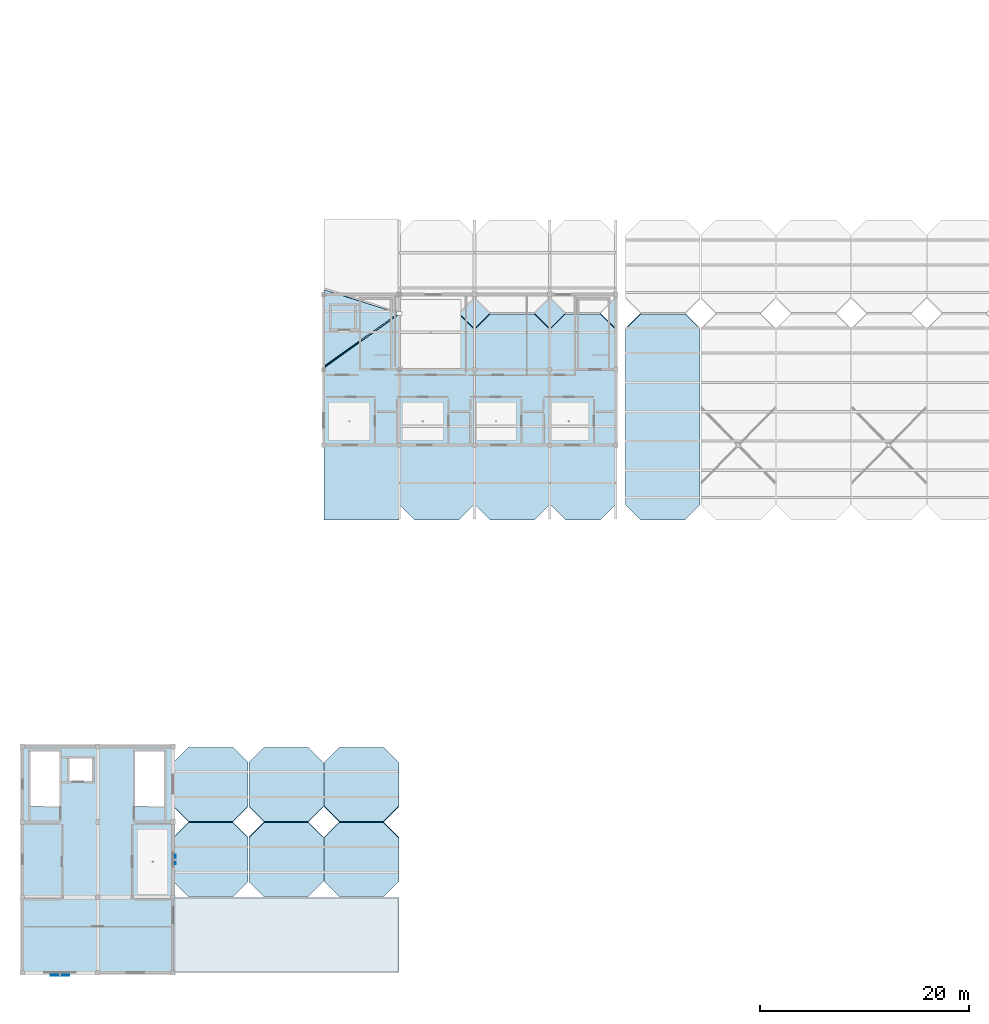
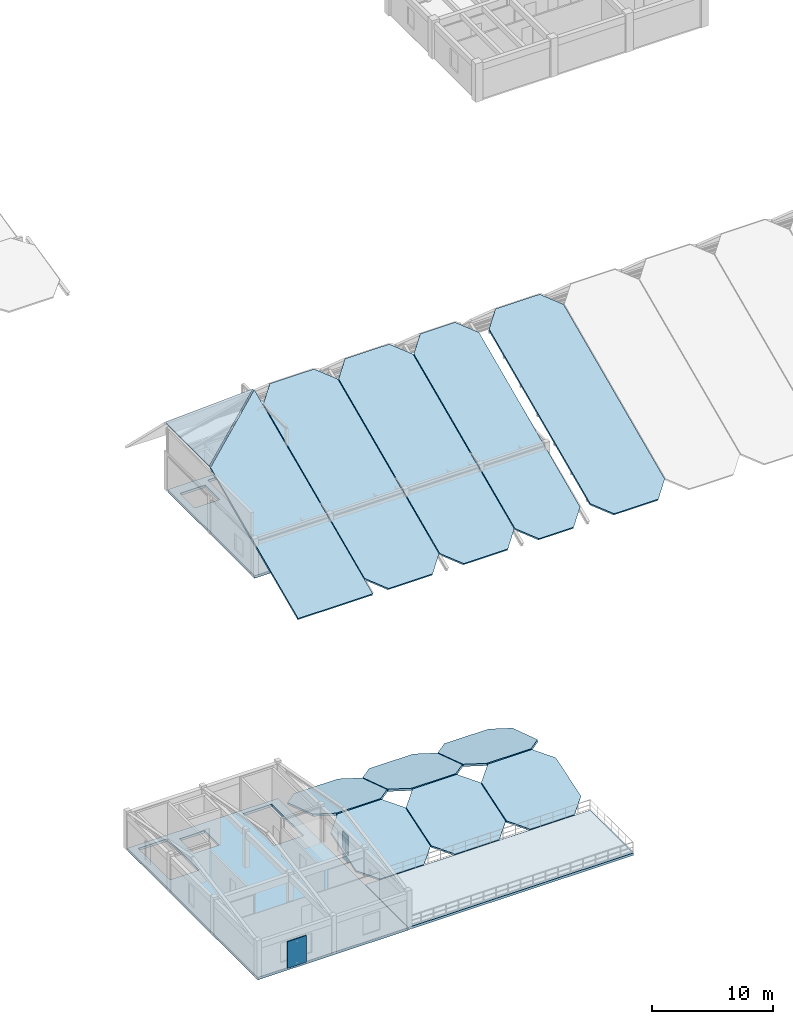
# One storey, part 22 of 54: 15 slabs, 2 plates.
"""IFC4 building model written with IfcOpenShell, lengths in metres."""

from ifc_helpers import new_model, si_unit, direction, frame, origin, origin_2d, place, context, subcontext, project, spatial, polyline, rectangle, outline, extrude, material, layer, layer_set, type_object, element, save


model = new_model("IFC4")

# Units and contexts
model_context = context("Model", 3, precision=1e-05, world=origin(), true_north=direction((0.0, 1.0)))
body_context = subcontext(model_context, "Body", "Model", "MODEL_VIEW")
ifc_project = project(units=[si_unit("LENGTHUNIT", "METRE"), si_unit("AREAUNIT", "SQUARE_METRE"), si_unit("VOLUMEUNIT", "CUBIC_METRE"), si_unit("PLANEANGLEUNIT", "RADIAN"), si_unit("MASSUNIT", "GRAM", prefix="KILO")], contexts=[model_context])

# Site, building, storey
site_placement = place(None, origin())
site = spatial("IfcSite", under=ifc_project, at=site_placement, CompositionType="ELEMENT")
building_placement = place(site_placement, origin())
building = spatial("IfcBuilding", under=site, at=building_placement, Name="Koriwan Promenade Central Fire Station", CompositionType="ELEMENT")
storey_placement = place(building_placement, frame((0.0, 0.0, 9.60009765625)))
storey = spatial("IfcBuildingStorey", under=building, at=storey_placement, Name="L02", CompositionType="ELEMENT", Elevation=9.60009765625)

# Slabs
ifc_material_1 = material(Name="Concrete C35/45", Category="concrete")
ifc_layer_1 = layer(ifc_material_1, 0.25, Name="Concrete C35/45")
ifc_layer_set_1 = layer_set([ifc_layer_1], Name="Concrete C35/45")
slab_type_1 = type_object("IfcSlabType", Name="FloorSlab_250", PredefinedType="FLOOR", material=ifc_layer_set_1)
slab_1_placement = place(storey_placement, frame((0.0, 0.0, -0.25)))
element("IfcSlab", 1, at=slab_1_placement, inside=storey, type_object=slab_type_1, Name="V3 L02 structural slab 1", PredefinedType="FLOOR", context=body_context, shape_type="SweptSolid", body=[
    extrude(outline(polyline([(0.0, 0.0), (0.0, 21.60009765625), (14.39990234375, 21.60009765625), (14.39990234375, 0.0), (0.0, 0.0)]), holes=[polyline([(0.760009765625, 15.8720703125), (3.550048828125, 15.8720703125), (3.550048828125, 21.110107421875), (0.760009765625, 21.110107421875), (0.760009765625, 15.8720703125)]), polyline([(10.760009765625, 21.110107421875), (10.760009765625, 15.8720703125), (13.550048828125, 15.8720703125), (13.550048828125, 21.110107421875), (10.760009765625, 21.110107421875)]), polyline([(6.800048828125, 20.60009765625), (4.39990234375, 20.60009765625), (4.39990234375, 18.199951171875), (6.800048828125, 18.199951171875), (6.800048828125, 20.60009765625)])]), origin(), (0.0, 0.0, 1.0), 0.25),
])
slab_2_placement = place(storey_placement, frame((0.0, 0.0, -0.25)))
element("IfcSlab", 2, at=slab_2_placement, inside=storey, type_object=slab_type_1, Name="V4 L02 structural slab 1", PredefinedType="FLOOR", context=body_context, shape_type="SweptSolid", body=[
    extrude(outline(polyline([(28.800048828125, 50.39990234375), (28.800048828125, 64.800048828125), (56.699951171875, 64.800048828125), (56.699951171875, 50.39990234375), (28.800048828125, 50.39990234375)]), holes=[polyline([(35.14990234375, 64.31005859375), (32.360107421875, 64.31005859375), (32.360107421875, 59.072021484375), (35.14990234375, 59.072021484375), (35.14990234375, 64.31005859375)]), polyline([(55.949951171875, 59.06201171875), (55.949951171875, 64.2900390625), (53.179931640625, 64.2900390625), (53.179931640625, 59.06201171875), (55.949951171875, 59.06201171875)]), polyline([(29.39990234375, 63.800048828125), (29.39990234375, 61.39990234375), (31.800048828125, 61.39990234375), (31.800048828125, 63.800048828125), (29.39990234375, 63.800048828125)])]), origin(), (0.0, 0.0, 1.0), 0.25),
])

# Plates
ifc_material_2 = material(Name="Precast concrete C40/50", Category="concrete")
ifc_layer_2 = layer(ifc_material_2, 0.080078125, Name="Precast concrete C40/50")
ifc_layer_set_2 = layer_set([ifc_layer_2], Name="Precast concrete C40/50")
plate_type_1 = type_object("IfcPlateType", Name="JaliScreen_JL-01", PredefinedType="USERDEFINED", material=ifc_layer_set_2)
plate_1_placement = place(storey_placement, frame((14.6298828125, 10.800048828125, 0.169921875), z_axis=(0.0, 0.0, 1.0), x_axis=(0.0, 1.0, 0.0)))
element("IfcPlate", 3, at=plate_1_placement, inside=storey, type_object=plate_type_1, Name="V3 L02 Mughal jali screen 005", ObjectType="JALI SCREEN", PredefinedType="USERDEFINED", context=body_context, shape_type="SweptSolid", body=[
    extrude(rectangle(XDim=0.89990234375, YDim=0.080078125, at=origin_2d()), origin(), (0.0, 0.0, 1.0), 2.699951171875),
])
ifc_layer_3 = layer(ifc_material_2, 0.0849609375, Name="Precast concrete C40/50")
ifc_layer_set_3 = layer_set([ifc_layer_3], Name="Precast concrete C40/50")
plate_type_2 = type_object("IfcPlateType", Name="JaliScreen_JL-02", PredefinedType="USERDEFINED", material=ifc_layer_set_3)
plate_2_placement = place(storey_placement, frame((3.60009765625, -0.232421875, 0.14501953125), z_axis=(0.0, 0.0, 1.0), x_axis=(1.0, 0.0, 0.0)))
element("IfcPlate", 4, at=plate_2_placement, inside=storey, type_object=plate_type_2, Name="V3 L02 Mughal jali screen 006", ObjectType="JALI SCREEN", PredefinedType="USERDEFINED", context=body_context, shape_type="SweptSolid", body=[
    extrude(rectangle(XDim=1.800048828125, YDim=0.0849609375, at=origin_2d()), origin(), (0.0, 0.0, 1.0), 2.699951171875),
])

# Slabs
ifc_layer_4 = layer(ifc_material_1, 0.199951171875, Name="Concrete C35/45")
ifc_layer_set_4 = layer_set([ifc_layer_4], Name="Concrete C35/45")
slab_type_2 = type_object("IfcSlabType", Name="RoofSlab_200", PredefinedType="ROOF", material=ifc_layer_set_4)
slab_3_placement = place(storey_placement, frame((59.0849609375, 43.264892578125, 0.0), z_axis=(0.0, -0.40836637686, 0.912818110168), x_axis=(1.0, 0.0, 0.0)))
element("IfcSlab", 5, at=slab_3_placement, inside=storey, type_object=slab_type_2, Name="V1 south asymmetric pitched roof slab bay 1", PredefinedType="ROOF", context=body_context, shape_type="SweptSolid", body=[
    extrude(outline(polyline([(0.0, 0.0), (4.22998046875, 0.0), (5.679931640625, 1.5886643158480227), (5.679931640625, 19.960386666514786), (4.22998046875, 21.548828126378883), (0.0, 21.548828126378883), (-1.449951171875, 19.960386666514786), (-1.449951171875, 1.5886643158480227), (0.0, 0.0)])), origin(), (0.0, 0.0, -1.0), 0.199951171875),
])
slab_4_placement = place(storey_placement, frame((28.830078125, 43.22998046875, 0.01318359375), z_axis=(-3.911138e-06, -0.406141493057, 0.913810203271), x_axis=(0.999999999992, -1.588476e-06, 3.574038e-06)))
element("IfcSlab", 6, at=slab_4_placement, inside=storey, type_object=slab_type_2, Name="V4 west-end south chamfered pitched roof slab", PredefinedType="ROOF", context=body_context, shape_type="SweptSolid", body=[
    extrude(outline(polyline([(0.0, 0.0), (7.139892578070391, 0.0), (7.1398925781796105, 21.50327673602932), (-1.0921896031215695e-10, 15.913568040485513), (0.0, 0.0)])), origin(), (0.0, 0.0, -1.0), 0.199951171875),
])
slab_5_placement = place(storey_placement, frame((35.919921875, 63.0, 8.7998046875), z_axis=(-0.304930417752, 0.0, 0.952374632343), x_axis=(-0.911926314388, 0.288337032325, -0.291979713195)))
element("IfcSlab", 7, at=slab_5_placement, inside=storey, type_object=slab_type_2, Name="V4 west 17.5-deg triangular chamfered gable roof facet", PredefinedType="ROOF", context=body_context, shape_type="SweptSolid", body=[
    extrude(outline(polyline([(0.0, 0.0), (7.774579632302631, -3.608224830031759e-16), (5.678434170502866, 6.961020645933549), (0.0, 0.0)])), origin(), (0.0, 0.0, -1.0), 0.199951171875),
])
slab_6_placement = place(storey_placement, frame((37.485107421875, 43.264892578125, 0.0), z_axis=(0.0, -0.408366376889, 0.912818110155), x_axis=(1.0, 0.0, 0.0)))
element("IfcSlab", 8, at=slab_6_placement, inside=storey, type_object=slab_type_2, Name="V4 south pitched roof slab bay 2", PredefinedType="ROOF", context=body_context, shape_type="SweptSolid", body=[
    extrude(outline(polyline([(0.0, 0.0), (4.22998046875, 0.0), (5.679931640625, 1.58866431584802), (5.679931640625, 19.960386666514786), (4.22998046875, 21.548828126378886), (0.0, 21.548828126378886), (-1.4501953125, 19.960386666514786), (-1.4501953125, 1.58866431584802), (0.0, 0.0)])), origin(), (0.0, 0.0, -1.0), 0.199951171875),
])
slab_7_placement = place(storey_placement, frame((44.68505859375, 43.264892578125, 0.0), z_axis=(0.0, -0.40836637686, 0.912818110168), x_axis=(1.0, 0.0, 0.0)))
element("IfcSlab", 9, at=slab_7_placement, inside=storey, type_object=slab_type_2, Name="V4 south pitched roof slab bay 3", PredefinedType="ROOF", context=body_context, shape_type="SweptSolid", body=[
    extrude(outline(polyline([(0.0, 0.0), (4.22998046875, 0.0), (5.679931640625, 1.5886643158480227), (5.679931640625, 19.960386666514786), (4.22998046875, 21.548828126378883), (0.0, 21.548828126378883), (-1.449951171875, 19.960386666514786), (-1.449951171875, 1.5886643158480227), (0.0, 0.0)])), origin(), (0.0, 0.0, -1.0), 0.199951171875),
])
slab_8_placement = place(storey_placement, frame((51.885009765625, 43.264892578125, 0.0), z_axis=(0.0, -0.408366461407, 0.912818072344), x_axis=(1.0, 0.0, 0.0)))
element("IfcSlab", 10, at=slab_8_placement, inside=storey, type_object=slab_type_2, Name="V4 south pitched roof slab bay 4", PredefinedType="ROOF", context=body_context, shape_type="SweptSolid", body=[
    extrude(outline(polyline([(0.0, 0.0), (3.330078125, 0.0), (4.780029296875, 1.5886643158403597), (4.780029296875, 19.960386666511884), (3.330078125, 21.548828126377554), (0.0, 21.548828126377554), (-1.449951171875, 19.960386666511884), (-1.449951171875, 1.5886643158403597), (0.0, 0.0)])), origin(), (0.0, 0.0, -1.0), 0.199951171875),
])
slab_9_placement = place(storey_placement, frame((15.885009765625, 7.264892578125, 0.0), z_axis=(0.0, -0.30933391339, 0.950953484681), x_axis=(1.0, 0.0, 0.0)))
element("IfcSlab", 11, at=slab_9_placement, inside=storey, type_object=slab_type_2, Name="V3 lecture theatre south pitched roof bay 1", PredefinedType="ROOF", context=body_context, shape_type="SweptSolid", body=[
    extrude(outline(polyline([(0.0, 0.0), (4.22998046875, 0.0), (5.679931640625, 1.5249748094907907), (5.679931640625, 5.909971084184478), (4.22998046875, 7.434713727297172), (0.0, 7.434713727297172), (-1.449951171875, 5.909971084184478), (-1.449951171875, 1.5249748094907907), (0.0, 0.0)])), origin(), (0.0, 0.0, -1.0), 0.199951171875),
])
slab_10_placement = place(storey_placement, frame((15.885009765625, 14.465087890625, 2.2998046875), z_axis=(0.0, 0.309342309223, 0.950950753575), x_axis=(1.0, 0.0, 0.0)))
element("IfcSlab", 12, at=slab_10_placement, inside=storey, type_object=slab_type_2, Name="V3 lecture theatre north pitched roof bay 1", PredefinedType="ROOF", context=body_context, shape_type="SweptSolid", body=[
    extrude(outline(polyline([(0.0, 0.0), (4.22998046875, 0.0), (5.679931640625, 1.5247426432861064), (5.679931640625, 5.9097389179690865), (4.22998046875, 7.434481561255192), (0.0, 7.434481561255192), (-1.449951171875, 5.9097389179690865), (-1.449951171875, 1.5247426432861064), (0.0, 0.0)])), origin(), (0.0, 0.0, -1.0), 0.199951171875),
])
slab_11_placement = place(storey_placement, frame((23.0849609375, 7.264892578125, 0.0), z_axis=(0.0, -0.30933391339, 0.950953484681), x_axis=(1.0, 0.0, 0.0)))
element("IfcSlab", 13, at=slab_11_placement, inside=storey, type_object=slab_type_2, Name="V3 lecture theatre south pitched roof bay 2", PredefinedType="ROOF", context=body_context, shape_type="SweptSolid", body=[
    extrude(outline(polyline([(0.0, 0.0), (4.22998046875, 0.0), (5.679931640625, 1.5249748094907907), (5.679931640625, 5.909971084184478), (4.22998046875, 7.434713727297172), (0.0, 7.434713727297172), (-1.449951171875, 5.909971084184478), (-1.449951171875, 1.5249748094907907), (0.0, 0.0)])), origin(), (0.0, 0.0, -1.0), 0.199951171875),
])
slab_12_placement = place(storey_placement, frame((23.0849609375, 14.465087890625, 2.2998046875), z_axis=(0.0, 0.309342309223, 0.950950753575), x_axis=(1.0, 0.0, 0.0)))
element("IfcSlab", 14, at=slab_12_placement, inside=storey, type_object=slab_type_2, Name="V3 lecture theatre north pitched roof bay 2", PredefinedType="ROOF", context=body_context, shape_type="SweptSolid", body=[
    extrude(outline(polyline([(0.0, 0.0), (4.22998046875, 0.0), (5.679931640625, 1.5247426432861064), (5.679931640625, 5.9097389179690865), (4.22998046875, 7.434481561255192), (0.0, 7.434481561255192), (-1.449951171875, 5.9097389179690865), (-1.449951171875, 1.5247426432861064), (0.0, 0.0)])), origin(), (0.0, 0.0, -1.0), 0.199951171875),
])
slab_13_placement = place(storey_placement, frame((30.284912109375, 7.264892578125, 0.0), z_axis=(0.0, -0.309333913422, 0.95095348467), x_axis=(1.0, 0.0, 0.0)))
element("IfcSlab", 15, at=slab_13_placement, inside=storey, type_object=slab_type_2, Name="V3 lecture theatre south pitched roof bay 3", PredefinedType="ROOF", context=body_context, shape_type="SweptSolid", body=[
    extrude(outline(polyline([(0.0, 0.0), (4.22998046875, 0.0), (5.68017578125, 1.5249748094907896), (5.68017578125, 5.909971084184477), (4.22998046875, 7.434713727297174), (0.0, 7.434713727297174), (-1.449951171875, 5.909971084184477), (-1.449951171875, 1.5249748094907896), (0.0, 0.0)])), origin(), (0.0, 0.0, -1.0), 0.199951171875),
])
slab_14_placement = place(storey_placement, frame((30.284912109375, 14.465087890625, 2.2998046875), z_axis=(0.0, 0.309342309186, 0.950950753587), x_axis=(1.0, 0.0, 0.0)))
element("IfcSlab", 16, at=slab_14_placement, inside=storey, type_object=slab_type_2, Name="V3 lecture theatre north pitched roof bay 3", PredefinedType="ROOF", context=body_context, shape_type="SweptSolid", body=[
    extrude(outline(polyline([(0.0, 0.0), (4.22998046875, 0.0), (5.68017578125, 1.5247426432861058), (5.68017578125, 5.909738917969087), (4.22998046875, 7.434481561255192), (0.0, 7.434481561255192), (-1.449951171875, 5.909738917969087), (-1.449951171875, 1.5247426432861058), (0.0, 0.0)])), origin(), (0.0, 0.0, -1.0), 0.199951171875),
])
ifc_layer_5 = layer(ifc_material_1, 0.239990234375, Name="Concrete C35/45")
ifc_layer_set_5 = layer_set([ifc_layer_5], Name="Concrete C35/45")
slab_type_3 = type_object("IfcSlabType", Name="TerraceSlab_240", PredefinedType="FLOOR", material=ifc_layer_set_5)
slab_15_placement = place(storey_placement, frame((0.0, 0.0, -0.239990234375)))
element("IfcSlab", 17, at=slab_15_placement, inside=storey, type_object=slab_type_3, Name="Promenade Roof Garden (L02)", PredefinedType="FLOOR", context=body_context, shape_type="SweptSolid", body=[
    extrude(outline(polyline([(35.97998046875, 0.02001953125), (14.419921875, 0.02001953125), (14.419921875, 7.179931640625), (35.97998046875, 7.179931640625), (35.97998046875, 0.02001953125)])), origin(), (0.0, 0.0, 1.0), 0.239990234375),
])

save(model, "model.ifc")
